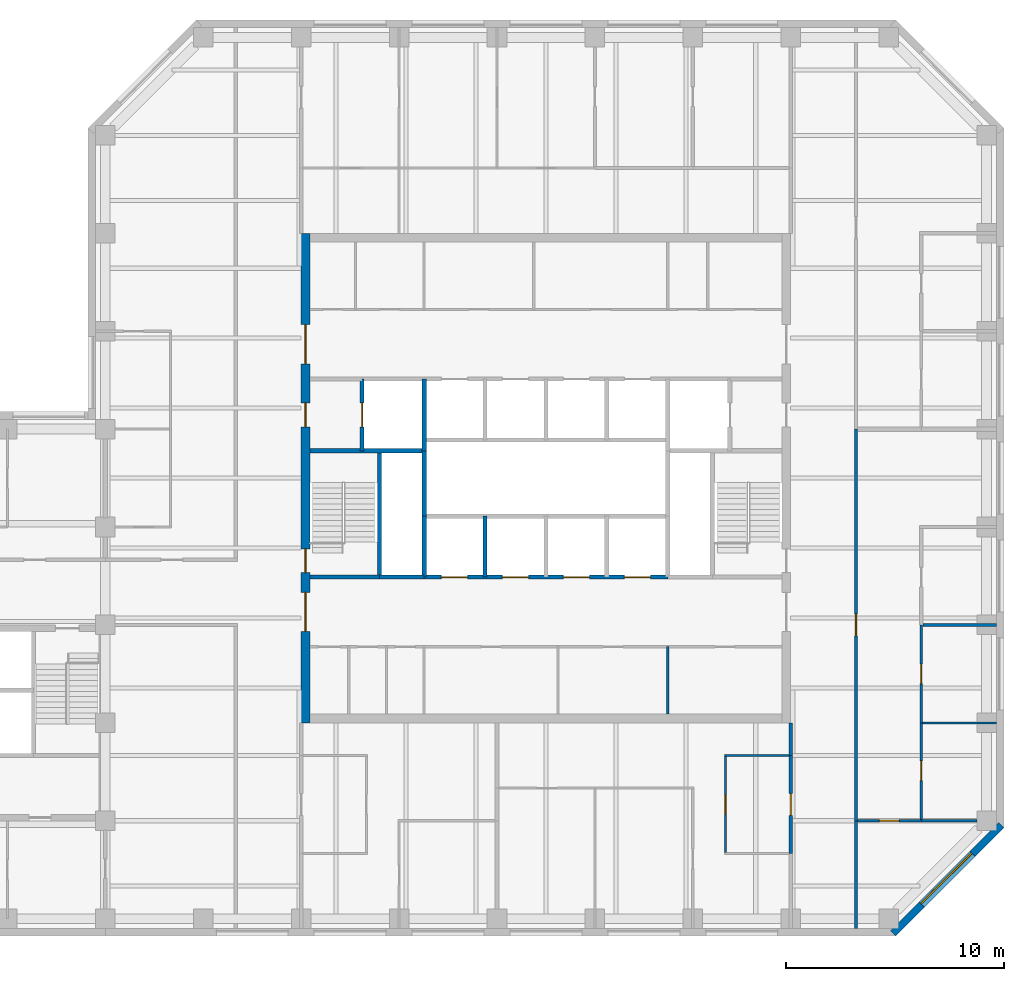
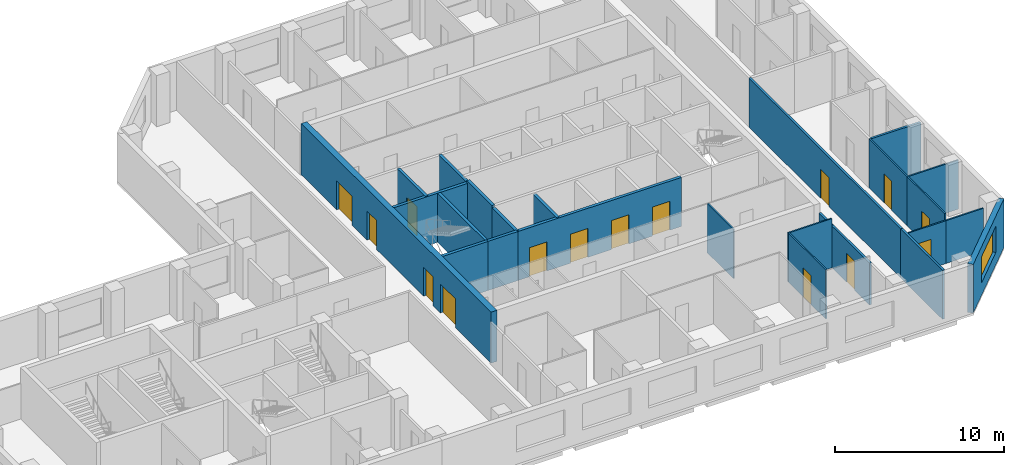
# One storey, part 5 of 9: 25 walls, 15 doors, 1 window, 16 openings.
"""IFC4 building model written with IfcOpenShell, lengths in metres."""

from ifc_helpers import new_model, si_unit, direction, frame, frame_2d, origin, place, context, subcontext, project, spatial, rectangle, extrude, material, layer, layer_set, constituent, constituent_set, type_object, element, fill, save


model = new_model("IFC4")

# Units and contexts
model_context = context("Model", 3, precision=1e-05, world=origin(), true_north=direction((0.0, 1.0)))
body_context = subcontext(model_context, "Body", "Model", "MODEL_VIEW")
ifc_project = project(units=[si_unit("LENGTHUNIT", "METRE"), si_unit("AREAUNIT", "SQUARE_METRE"), si_unit("VOLUMEUNIT", "CUBIC_METRE"), si_unit("PLANEANGLEUNIT", "RADIAN"), si_unit("MASSUNIT", "GRAM", prefix="KILO")], contexts=[model_context])

# Site, building, storey
site_placement = place(None, origin())
site = spatial("IfcSite", under=ifc_project, at=site_placement, CompositionType="ELEMENT")
building_placement = place(site_placement, origin())
building = spatial("IfcBuilding", under=site, at=building_placement, Name="Quoin Convention Tower", CompositionType="ELEMENT")
storey_placement = place(building_placement, frame((0.0, 0.0, 241.5)))
storey = spatial("IfcBuildingStorey", under=building, at=storey_placement, Name="L63", CompositionType="ELEMENT", Elevation=241.5)

# Wall
ifc_material_1 = material(Name="Plasterboard")
ifc_layer_1 = layer(ifc_material_1, 0.012451171875, Name="Finish")
ifc_material_2 = material(Name="Steel stud framing", Category="steel")
ifc_layer_2 = layer(ifc_material_2, 0.125, Name="Structure")
ifc_layer_3 = layer(ifc_material_1, 0.012451171875, Name="Finish")
ifc_layer_set_1 = layer_set([ifc_layer_1, ifc_layer_2, ifc_layer_3], Name="Steel stud framing")
wall_type_1 = type_object("IfcWallType", Name="Acoustic partition 150", PredefinedType="PARTITIONING", material=ifc_layer_set_1)
wall_1_placement = place(storey_placement, frame((73.574951171875, 54.0, 0.0), z_axis=(0.0, 0.0, 1.0), x_axis=(1.0, 0.0, 0.0)))
element("IfcWall", 1, at=wall_1_placement, inside=storey, type_object=wall_type_1, Name="pw-L63-017", PredefinedType="PARTITIONING", context=body_context, shape_type="SweptSolid", body=[
    extrude(rectangle(XDim=3.375, YDim=0.14990234375, at=frame_2d((1.6875, 0.0))), origin(), (0.0, 0.0, 1.0), 3.550048828125),
])

# Wall, opening, window
ifc_material_3 = material(Name="Brick masonry", Category="masonry")
ifc_layer_4 = layer(ifc_material_3, 0.35009765625)
ifc_layer_set_2 = layer_set([ifc_layer_4], Name="Brick masonry")
wall_type_2 = type_object("IfcWallType", Name="Brick facade wall", PredefinedType="STANDARD", material=ifc_layer_set_2)
wall_2_placement = place(storey_placement, frame((72.20751953125, 39.82373046875, 0.0), z_axis=(0.0, 0.0, 1.0), x_axis=(0.707106781187, 0.707106781187, 0.0)))
wall_2 = element("IfcWall", 2, at=wall_2_placement, inside=storey, type_object=wall_type_2, Name="fw-L63-72000_40500", PredefinedType="STANDARD", context=body_context, shape_type="SweptSolid", body=[
    extrude(rectangle(XDim=7.02685546875, YDim=0.35009765625, at=frame_2d((3.513427734375, 0.0))), origin(), (0.0, 0.0, 1.0), 3.52490234375),
])
opening_1_placement = place(wall_2_placement, frame((1.86328125, 0.0, 0.89990234375)))
opening_1 = element("IfcOpeningElement", 3, at=opening_1_placement, cuts=wall_2, Name="Opening W-02", PredefinedType="OPENING", context=body_context, shape_type="SweptSolid", body=[
    extrude(rectangle(XDim=3.300048828125, YDim=1.89990234375, at=frame_2d((1.64990234375, 0.949951171875))), frame((0.0, 0.18505859375, 0.0), z_axis=(0.0, -1.0, 0.0), x_axis=(1.0, 0.0, 0.0)), (0.0, 0.0, 1.0), 0.3701171875),
])
ifc_material_4 = material(Name="Aluminium", Category="aluminium")
ifc_constituent_1 = constituent(ifc_material_4, Name="Frame")
ifc_material_5 = material(Name="Insulated glass", Category="glass")
ifc_constituent_2 = constituent(ifc_material_5, Name="Glazing")
ifc_constituent_set = constituent_set(constituents=[ifc_constituent_1, ifc_constituent_2], Name="Aluminium")
window_type = type_object("IfcWindowType", Name="Office window", PartitioningType="DOUBLE_PANEL_VERTICAL", PredefinedType="WINDOW", material=ifc_constituent_set)
window_placement = place(opening_1_placement, origin())
window = element("IfcWindow", 4, at=window_placement, inside=storey, type_object=window_type, Name="win-L63-74692_42308", OverallHeight=1.89990234375, OverallWidth=3.300048828125, PartitioningType="SINGLE_PANEL", PredefinedType="WINDOW", context=body_context, shape_type="SweptSolid", body=[
    extrude(rectangle(XDim=3.300048828125, YDim=1.89990234375, at=frame_2d((1.64990234375, 0.949951171875))), frame((0.0, 0.0849609375, 0.0), z_axis=(0.0, -1.0, 0.0), x_axis=(1.0, 0.0, 0.0)), (0.0, 0.0, 1.0), 0.06005859375),
])
fill(opening_1, window)

# Walls
ifc_layer_5 = layer(ifc_material_1, 0.012451171875, Name="Finish")
ifc_layer_6 = layer(ifc_material_2, 0.074951171875, Name="Structure")
ifc_layer_7 = layer(ifc_material_1, 0.012451171875, Name="Finish")
ifc_layer_set_3 = layer_set([ifc_layer_5, ifc_layer_6, ifc_layer_7], Name="Steel stud framing")
wall_type_3 = type_object("IfcWallType", Name="Core partition wall", PredefinedType="PARTITIONING", material=ifc_layer_set_3)
wall_3_placement = place(storey_placement, frame((61.85009765625, 49.89990234375, 0.0), z_axis=(0.0, 0.0, 1.0), x_axis=(0.0, 1.0, 0.0)))
element("IfcWall", 5, at=wall_3_placement, inside=storey, type_object=wall_type_3, Name="cr-C1-L63-v16850_400", PredefinedType="PARTITIONING", context=body_context, shape_type="SweptSolid", body=[
    extrude(rectangle(XDim=3.10009765625, YDim=0.10009765625, at=frame_2d((1.550048828125, 0.0))), origin(), (0.0, 0.0, 1.0), 3.550048828125),
])
ifc_material_6 = material(Name="Concrete C50", Category="concrete")
ifc_layer_8 = layer(ifc_material_6, 0.199951171875)
ifc_layer_set_4 = layer_set([ifc_layer_8], Name="Concrete C50")
wall_type_4 = type_object("IfcWallType", Name="Core shaft wall", PredefinedType="SOLIDWALL", material=ifc_layer_set_4)
wall_4_placement = place(storey_placement, frame((48.60009765625, 56.199951171875, 0.0), z_axis=(0.0, 0.0, 1.0), x_axis=(1.0, 0.0, 0.0)))
element("IfcWall", 6, at=wall_4_placement, inside=storey, type_object=wall_type_4, Name="cr-C1-L63-h6700_3600", PredefinedType="SOLIDWALL", context=body_context, shape_type="SweptSolid", body=[
    extrude(rectangle(XDim=2.0498046875, YDim=0.199951171875, at=frame_2d((1.02490234375, 0.0))), origin(), (0.0, 0.0, 1.0), 3.550048828125),
])
wall_5_placement = place(storey_placement, frame((45.39990234375, 56.199951171875, 0.0), z_axis=(0.0, 0.0, 1.0), x_axis=(1.0, 0.0, 0.0)))
element("IfcWall", 7, at=wall_5_placement, inside=storey, type_object=wall_type_4, Name="cr-C1-L63-h6700_400", PredefinedType="SOLIDWALL", context=body_context, shape_type="SweptSolid", body=[
    extrude(rectangle(XDim=3.2001953125, YDim=0.199951171875, at=frame_2d((1.60009765625, 0.0))), origin(), (0.0, 0.0, 1.0), 3.550048828125),
])

# Wall, openings, doors
wall_6_placement = place(storey_placement, frame((50.64990234375, 56.199951171875, 0.0), z_axis=(0.0, 0.0, 1.0), x_axis=(1.0, 0.0, 0.0)))
wall_6 = element("IfcWall", 8, at=wall_6_placement, inside=storey, type_object=wall_type_4, Name="cr-C1-L63-h6700_5650", PredefinedType="SOLIDWALL", context=body_context, shape_type="SweptSolid", body=[
    extrude(rectangle(XDim=11.2001953125, YDim=0.199951171875, at=frame_2d((5.60009765625, 0.0))), origin(), (0.0, 0.0, 1.0), 3.550048828125),
])
opening_2_placement = place(wall_6_placement, frame((0.800048828125, 0.0, 0.0)))
opening_2 = element("IfcOpeningElement", 9, at=opening_2_placement, cuts=wall_6, Name="Opening LDH1", PredefinedType="OPENING", context=body_context, shape_type="SweptSolid", body=[
    extrude(rectangle(XDim=1.199951171875, YDim=2.10009765625, at=frame_2d((0.60009765625, 1.050048828125))), frame((0.0, 0.10986328125, 0.0), z_axis=(0.0, -1.0, 0.0), x_axis=(1.0, 0.0, 0.0)), (0.0, 0.0, 1.0), 0.219970703125),
])
opening_3_placement = place(wall_6_placement, frame((3.60009765625, 0.0, 0.0)))
opening_3 = element("IfcOpeningElement", 10, at=opening_3_placement, cuts=wall_6, Name="Opening LDH2", PredefinedType="OPENING", context=body_context, shape_type="SweptSolid", body=[
    extrude(rectangle(XDim=1.199951171875, YDim=2.10009765625, at=frame_2d((0.60009765625, 1.050048828125))), frame((0.0, 0.10986328125, 0.0), z_axis=(0.0, -1.0, 0.0), x_axis=(1.0, 0.0, 0.0)), (0.0, 0.0, 1.0), 0.219970703125),
])
opening_4_placement = place(wall_6_placement, frame((6.39990234375, 0.0, 0.0)))
opening_4 = element("IfcOpeningElement", 11, at=opening_4_placement, cuts=wall_6, Name="Opening LDH3", PredefinedType="OPENING", context=body_context, shape_type="SweptSolid", body=[
    extrude(rectangle(XDim=1.199951171875, YDim=2.10009765625, at=frame_2d((0.60009765625, 1.050048828125))), frame((0.0, 0.10986328125, 0.0), z_axis=(0.0, -1.0, 0.0), x_axis=(1.0, 0.0, 0.0)), (0.0, 0.0, 1.0), 0.219970703125),
])
opening_5_placement = place(wall_6_placement, frame((9.199951171875, 0.0, 0.0)))
opening_5 = element("IfcOpeningElement", 12, at=opening_5_placement, cuts=wall_6, Name="Opening LDH4", PredefinedType="OPENING", context=body_context, shape_type="SweptSolid", body=[
    extrude(rectangle(XDim=1.199951171875, YDim=2.10009765625, at=frame_2d((0.60009765625, 1.050048828125))), frame((0.0, 0.10986328125, 0.0), z_axis=(0.0, -1.0, 0.0), x_axis=(1.0, 0.0, 0.0)), (0.0, 0.0, 1.0), 0.219970703125),
])
ifc_material_7 = material(Name="Steel door leaf", Category="steel")
door_type_1 = type_object("IfcDoorType", Name="Lift landing door 1200 x 2100", OperationType="DOUBLE_DOOR_SLIDING", PredefinedType="DOOR", material=ifc_material_7)
door_1_placement = place(opening_2_placement, origin())
door_1 = element("IfcDoor", 13, at=door_1_placement, inside=storey, type_object=door_type_1, Name="cd-C1-L63-R20-lobA-LDH1", OperationType="DOUBLE_DOOR_SLIDING", OverallHeight=2.10009765625, OverallWidth=1.199951171875, PredefinedType="DOOR", context=body_context, shape_type="SweptSolid", body=[
    extrude(rectangle(XDim=1.199951171875, YDim=2.10009765625, at=frame_2d((0.60009765625, 1.050048828125))), frame((0.0, 0.02490234375, 0.0), z_axis=(0.0, -1.0, 0.0), x_axis=(1.0, 0.0, 0.0)), (0.0, 0.0, 1.0), 0.050048828125),
])
fill(opening_2, door_1)
door_2_placement = place(opening_3_placement, origin())
door_2 = element("IfcDoor", 14, at=door_2_placement, inside=storey, type_object=door_type_1, Name="cd-C1-L63-R21-lobA-LDH2", OperationType="DOUBLE_DOOR_SLIDING", OverallHeight=2.10009765625, OverallWidth=1.199951171875, PredefinedType="DOOR", context=body_context, shape_type="SweptSolid", body=[
    extrude(rectangle(XDim=1.199951171875, YDim=2.10009765625, at=frame_2d((0.60009765625, 1.050048828125))), frame((0.0, 0.02490234375, 0.0), z_axis=(0.0, -1.0, 0.0), x_axis=(1.0, 0.0, 0.0)), (0.0, 0.0, 1.0), 0.050048828125),
])
fill(opening_3, door_2)
door_3_placement = place(opening_4_placement, origin())
door_3 = element("IfcDoor", 15, at=door_3_placement, inside=storey, type_object=door_type_1, Name="cd-C1-L63-R22-lobA-LDH3", OperationType="DOUBLE_DOOR_SLIDING", OverallHeight=2.10009765625, OverallWidth=1.199951171875, PredefinedType="DOOR", context=body_context, shape_type="SweptSolid", body=[
    extrude(rectangle(XDim=1.199951171875, YDim=2.10009765625, at=frame_2d((0.60009765625, 1.050048828125))), frame((0.0, 0.02490234375, 0.0), z_axis=(0.0, -1.0, 0.0), x_axis=(1.0, 0.0, 0.0)), (0.0, 0.0, 1.0), 0.050048828125),
])
fill(opening_4, door_3)
door_4_placement = place(opening_5_placement, origin())
door_4 = element("IfcDoor", 16, at=door_4_placement, inside=storey, type_object=door_type_1, Name="cd-C1-L63-R23-lobA-LDH4", OperationType="DOUBLE_DOOR_SLIDING", OverallHeight=2.10009765625, OverallWidth=1.199951171875, PredefinedType="DOOR", context=body_context, shape_type="SweptSolid", body=[
    extrude(rectangle(XDim=1.199951171875, YDim=2.10009765625, at=frame_2d((0.60009765625, 1.050048828125))), frame((0.0, 0.02490234375, 0.0), z_axis=(0.0, -1.0, 0.0), x_axis=(1.0, 0.0, 0.0)), (0.0, 0.0, 1.0), 0.050048828125),
])
fill(opening_5, door_4)

# Wall
wall_7_placement = place(storey_placement, frame((45.39990234375, 62.0, 0.0), z_axis=(0.0, 0.0, 1.0), x_axis=(1.0, 0.0, 0.0)))
element("IfcWall", 17, at=wall_7_placement, inside=storey, type_object=wall_type_4, Name="cr-C1-L63-h12500_400", PredefinedType="SOLIDWALL", context=body_context, shape_type="SweptSolid", body=[
    extrude(rectangle(XDim=5.25, YDim=0.199951171875, at=frame_2d((2.625, 0.0))), origin(), (0.0, 0.0, 1.0), 3.550048828125),
])

# Wall, opening, door
wall_8_placement = place(storey_placement, frame((47.800048828125, 62.0, 0.0), z_axis=(0.0, 0.0, 1.0), x_axis=(0.0, 1.0, 0.0)))
wall_8 = element("IfcWall", 18, at=wall_8_placement, inside=storey, type_object=wall_type_4, Name="cr-C1-L63-v2800_12500", PredefinedType="SOLIDWALL", context=body_context, shape_type="SweptSolid", body=[
    extrude(rectangle(XDim=3.300048828125, YDim=0.199951171875, at=frame_2d((1.64990234375, 0.0))), origin(), (0.0, 0.0, 1.0), 3.550048828125),
])
opening_6_placement = place(wall_8_placement, frame((1.10009765625, 0.0, 0.0)))
opening_6 = element("IfcOpeningElement", 19, at=opening_6_placement, cuts=wall_8, Name="Opening LDFL1", PredefinedType="OPENING", context=body_context, shape_type="SweptSolid", body=[
    extrude(rectangle(XDim=1.10009765625, YDim=2.10009765625, at=frame_2d((0.550048828125, 1.050048828125))), frame((0.0, 0.10986328125, 0.0), z_axis=(0.0, -1.0, 0.0), x_axis=(1.0, 0.0, 0.0)), (0.0, 0.0, 1.0), 0.219970703125),
])
door_type_2 = type_object("IfcDoorType", Name="Lift landing door 1100 x 2100", OperationType="DOUBLE_DOOR_SLIDING", PredefinedType="DOOR", material=ifc_material_7)
door_5_placement = place(opening_6_placement, origin())
door_5 = element("IfcDoor", 20, at=door_5_placement, inside=storey, type_object=door_type_2, Name="cd-C1-L63-FLW-FFW-LDFL1", OperationType="DOUBLE_DOOR_SLIDING", OverallHeight=2.10009765625, OverallWidth=1.10009765625, PredefinedType="DOOR", context=body_context, shape_type="SweptSolid", body=[
    extrude(rectangle(XDim=1.10009765625, YDim=2.10009765625, at=frame_2d((0.550048828125, 1.050048828125))), frame((0.0, 0.02490234375, 0.0), z_axis=(0.0, -1.0, 0.0), x_axis=(1.0, 0.0, 0.0)), (0.0, 0.0, 1.0), 0.050048828125),
])
fill(opening_6, door_5)

# Walls
wall_9_placement = place(storey_placement, frame((48.60009765625, 56.199951171875, 0.0), z_axis=(0.0, 0.0, 1.0), x_axis=(0.0, 1.0, 0.0)))
element("IfcWall", 21, at=wall_9_placement, inside=storey, type_object=wall_type_4, Name="cr-C1-L63-v3600_6700", PredefinedType="SOLIDWALL", context=body_context, shape_type="SweptSolid", body=[
    extrude(rectangle(XDim=5.800048828125, YDim=0.199951171875, at=frame_2d((2.89990234375, 0.0))), origin(), (0.0, 0.0, 1.0), 3.550048828125),
])
wall_10_placement = place(storey_placement, frame((50.64990234375, 56.199951171875, 0.0), z_axis=(0.0, 0.0, 1.0), x_axis=(0.0, 1.0, 0.0)))
element("IfcWall", 22, at=wall_10_placement, inside=storey, type_object=wall_type_4, Name="cr-C1-L63-v5650_6700", PredefinedType="SOLIDWALL", context=body_context, shape_type="SweptSolid", body=[
    extrude(rectangle(XDim=2.800048828125, YDim=0.199951171875, at=frame_2d((1.39990234375, 0.0))), origin(), (0.0, 0.0, 1.0), 3.550048828125),
])
wall_11_placement = place(storey_placement, frame((50.64990234375, 62.0, 0.0), z_axis=(0.0, 0.0, 1.0), x_axis=(0.0, 1.0, 0.0)))
element("IfcWall", 23, at=wall_11_placement, inside=storey, type_object=wall_type_4, Name="cr-C1-L63-v5650_12500", PredefinedType="SOLIDWALL", context=body_context, shape_type="SweptSolid", body=[
    extrude(rectangle(XDim=3.300048828125, YDim=0.199951171875, at=frame_2d((1.64990234375, 0.0))), origin(), (0.0, 0.0, 1.0), 3.550048828125),
])
wall_12_placement = place(storey_placement, frame((53.449951171875, 56.199951171875, 0.0), z_axis=(0.0, 0.0, 1.0), x_axis=(0.0, 1.0, 0.0)))
element("IfcWall", 24, at=wall_12_placement, inside=storey, type_object=wall_type_4, Name="cr-C1-L63-v8450_6700", PredefinedType="SOLIDWALL", context=body_context, shape_type="SweptSolid", body=[
    extrude(rectangle(XDim=2.800048828125, YDim=0.199951171875, at=frame_2d((1.39990234375, 0.0))), origin(), (0.0, 0.0, 1.0), 3.550048828125),
])
ifc_layer_9 = layer(ifc_material_6, 0.199951171875)
ifc_layer_set_5 = layer_set([ifc_layer_9], Name="Concrete C50")
wall_type_5 = type_object("IfcWallType", Name="Core shaft wall to the floor level over", PredefinedType="SOLIDWALL", material=ifc_layer_set_5)
wall_13_placement = place(storey_placement, frame((50.64990234375, 59.0, 0.0), z_axis=(0.0, 0.0, 1.0), x_axis=(0.0, 1.0, 0.0)))
element("IfcWall", 25, at=wall_13_placement, inside=storey, type_object=wall_type_5, Name="cr-C1-L63-v5650_9500", PredefinedType="SOLIDWALL", context=body_context, shape_type="SweptSolid", body=[
    extrude(rectangle(XDim=3.0, YDim=0.199951171875, at=frame_2d((1.5, 0.0))), origin(), (0.0, 0.0, 1.0), 3.699951171875),
])
ifc_layer_10 = layer(ifc_material_1, 0.012451171875, Name="Finish")
ifc_layer_11 = layer(ifc_material_2, 0.125, Name="Structure")
ifc_layer_12 = layer(ifc_material_1, 0.012451171875, Name="Finish")
ifc_layer_set_6 = layer_set([ifc_layer_10, ifc_layer_11, ifc_layer_12], Name="Steel stud framing")
wall_type_6 = type_object("IfcWallType", Name="Corridor wall 150", PredefinedType="PARTITIONING", material=ifc_layer_set_6)
wall_14_placement = place(storey_placement, frame((70.5, 40.050048828125, 0.0), z_axis=(0.0, 0.0, 1.0), x_axis=(0.0, 1.0, 0.0)))
element("IfcWall", 26, at=wall_14_placement, inside=storey, type_object=wall_type_6, Name="pw-L63-042", PredefinedType="PARTITIONING", context=body_context, shape_type="SweptSolid", body=[
    extrude(rectangle(XDim=4.949951171875, YDim=0.14990234375, at=frame_2d((2.47509765625, 0.0))), origin(), (0.0, 0.0, 1.0), 3.550048828125),
])

# Wall, opening, door
wall_15_placement = place(storey_placement, frame((70.5, 45.0, 0.0), z_axis=(0.0, 0.0, 1.0), x_axis=(0.0, 1.0, 0.0)))
wall_15 = element("IfcWall", 27, at=wall_15_placement, inside=storey, type_object=wall_type_6, Name="pw-L63-050", PredefinedType="PARTITIONING", context=body_context, shape_type="SweptSolid", body=[
    extrude(rectangle(XDim=18.0, YDim=0.14990234375, at=frame_2d((9.0, 0.0))), origin(), (0.0, 0.0, 1.0), 3.550048828125),
])
opening_7_placement = place(wall_15_placement, frame((8.5, 0.0, 0.0)))
opening_7 = element("IfcOpeningElement", 28, at=opening_7_placement, cuts=wall_15, Name="Opening DOH11-16", PredefinedType="OPENING", context=body_context, shape_type="SweptSolid", body=[
    extrude(rectangle(XDim=1.0, YDim=2.10009765625, at=frame_2d((0.5, 1.050048828125))), frame((0.0, 0.0849609375, 0.0), z_axis=(0.0, -1.0, 0.0), x_axis=(1.0, 0.0, 0.0)), (0.0, 0.0, 1.0), 0.169921875),
])
door_type_3 = type_object("IfcDoorType", Name="Tenancy entrance door 1000 x 2100", OperationType="DOUBLE_DOOR_SINGLE_SWING", PredefinedType="DOOR", material=ifc_material_7)
door_6_placement = place(opening_7_placement, frame((1.0, 0.0, 0.0), z_axis=(0.0, 0.0, 1.0), x_axis=(-1.0, 0.0, 0.0)))
door_6 = element("IfcDoor", 29, at=door_6_placement, inside=storey, type_object=door_type_3, Name="dr-L63-24", OperationType="DOUBLE_DOOR_SINGLE_SWING", OverallHeight=2.10009765625, OverallWidth=1.0, PredefinedType="DOOR", context=body_context, shape_type="SweptSolid", body=[
    extrude(rectangle(XDim=1.0, YDim=2.10009765625, at=frame_2d((0.5, 1.050048828125))), frame((0.0, 0.02490234375, 0.0), z_axis=(0.0, -1.0, 0.0), x_axis=(1.0, 0.0, 0.0)), (0.0, 0.0, 1.0), 0.050048828125),
])
fill(opening_7, door_6)

ifc_layer_13 = layer(ifc_material_1, 0.012451171875, Name="Finish")
ifc_layer_14 = layer(ifc_material_2, 0.125, Name="Structure")
ifc_layer_15 = layer(ifc_material_1, 0.012451171875, Name="Finish")
ifc_layer_set_7 = layer_set([ifc_layer_13, ifc_layer_14, ifc_layer_15], Name="Steel stud framing")
wall_type_7 = type_object("IfcWallType", Name="Corridor wall 150 under beam 528", PredefinedType="PARTITIONING", material=ifc_layer_set_7)
wall_16_placement = place(storey_placement, frame((67.5, 43.5, 0.0), z_axis=(0.0, 0.0, 1.0), x_axis=(0.0, 1.0, 0.0)))
wall_16 = element("IfcWall", 30, at=wall_16_placement, inside=storey, type_object=wall_type_7, Name="pw-L63-045", PredefinedType="PARTITIONING", context=body_context, shape_type="SweptSolid", body=[
    extrude(rectangle(XDim=4.5, YDim=0.14990234375, at=frame_2d((2.25, 0.0))), origin(), (0.0, 0.0, 1.0), 3.02197265625),
])
opening_8_placement = place(wall_16_placement, frame((1.75, 0.0, 0.0)))
opening_8 = element("IfcOpeningElement", 31, at=opening_8_placement, cuts=wall_16, Name="Opening DOH11-13", PredefinedType="OPENING", context=body_context, shape_type="SweptSolid", body=[
    extrude(rectangle(XDim=1.0, YDim=2.10009765625, at=frame_2d((0.5, 1.050048828125))), frame((0.0, 0.0849609375, 0.0), z_axis=(0.0, -1.0, 0.0), x_axis=(1.0, 0.0, 0.0)), (0.0, 0.0, 1.0), 0.169921875),
])
door_7_placement = place(opening_8_placement, origin())
door_7 = element("IfcDoor", 32, at=door_7_placement, inside=storey, type_object=door_type_3, Name="dr-L63-13", OperationType="DOUBLE_DOOR_SINGLE_SWING", OverallHeight=2.10009765625, OverallWidth=1.0, PredefinedType="DOOR", context=body_context, shape_type="SweptSolid", body=[
    extrude(rectangle(XDim=1.0, YDim=2.10009765625, at=frame_2d((0.5, 1.050048828125))), frame((0.0, 0.02490234375, 0.0), z_axis=(0.0, -1.0, 0.0), x_axis=(1.0, 0.0, 0.0)), (0.0, 0.0, 1.0), 0.050048828125),
])
fill(opening_8, door_7)

# Wall
wall_17_placement = place(storey_placement, frame((67.5, 48.0, 0.0), z_axis=(0.0, 0.0, 1.0), x_axis=(0.0, 1.0, 0.0)))
element("IfcWall", 33, at=wall_17_placement, inside=storey, type_object=wall_type_7, Name="pw-L63-057", PredefinedType="PARTITIONING", context=body_context, shape_type="SweptSolid", body=[
    extrude(rectangle(XDim=1.5, YDim=0.14990234375, at=frame_2d((0.75, 0.0))), origin(), (0.0, 0.0, 1.0), 3.02197265625),
])

# Wall, openings, doors
ifc_layer_16 = layer(ifc_material_6, 0.39990234375)
ifc_layer_set_8 = layer_set([ifc_layer_16], Name="Concrete C50")
wall_type_8 = type_object("IfcWallType", Name="RC CORE WALL 400 C50", PredefinedType="SHEAR", material=ifc_layer_set_8)
wall_18_placement = place(storey_placement, frame((45.199951171875, 49.5, 0.0), z_axis=(0.0, 0.0, 1.0), x_axis=(0.0, 1.0, 0.0)))
wall_18 = element("IfcWall", 34, at=wall_18_placement, inside=storey, type_object=wall_type_8, Name="cwl-C1-L63-W", PredefinedType="SHEAR", context=body_context, shape_type="SweptSolid", body=[
    extrude(rectangle(XDim=22.5, YDim=0.39990234375, at=frame_2d((11.25, 0.0))), origin(), (0.0, 0.0, 1.0), 3.699951171875),
])
opening_9_placement = place(wall_18_placement, frame((4.199951171875, 0.0, 0.0)))
opening_9 = element("IfcOpeningElement", 35, at=opening_9_placement, cuts=wall_18, Name="Opening DCV3-40", PredefinedType="OPENING", context=body_context, shape_type="SweptSolid", body=[
    extrude(rectangle(XDim=1.800048828125, YDim=2.10009765625, at=frame_2d((0.89990234375, 1.050048828125))), frame((0.0, 0.2099609375, 0.0), z_axis=(0.0, -1.0, 0.0), x_axis=(1.0, 0.0, 0.0)), (0.0, 0.0, 1.0), 0.419921875),
])
opening_10_placement = place(wall_18_placement, frame((6.89990234375, 0.0, 0.0)))
opening_10 = element("IfcOpeningElement", 36, at=opening_10_placement, cuts=wall_18, Name="Opening SD1", PredefinedType="OPENING", context=body_context, shape_type="SweptSolid", body=[
    extrude(rectangle(XDim=1.10009765625, YDim=2.10009765625, at=frame_2d((0.550048828125, 1.050048828125))), frame((0.0, 0.2099609375, 0.0), z_axis=(0.0, -1.0, 0.0), x_axis=(1.0, 0.0, 0.0)), (0.0, 0.0, 1.0), 0.419921875),
])
opening_11_placement = place(wall_18_placement, frame((13.60009765625, 0.0, 0.0)))
opening_11 = element("IfcOpeningElement", 37, at=opening_11_placement, cuts=wall_18, Name="Opening DCV3-39", PredefinedType="OPENING", context=body_context, shape_type="SweptSolid", body=[
    extrude(rectangle(XDim=1.10009765625, YDim=2.10009765625, at=frame_2d((0.550048828125, 1.050048828125))), frame((0.0, 0.2099609375, 0.0), z_axis=(0.0, -1.0, 0.0), x_axis=(1.0, 0.0, 0.0)), (0.0, 0.0, 1.0), 0.419921875),
])
opening_12_placement = place(wall_18_placement, frame((16.5, 0.0, 0.0)))
opening_12 = element("IfcOpeningElement", 38, at=opening_12_placement, cuts=wall_18, Name="Opening DCV3-40", PredefinedType="OPENING", context=body_context, shape_type="SweptSolid", body=[
    extrude(rectangle(XDim=1.800048828125, YDim=2.10009765625, at=frame_2d((0.89990234375, 1.050048828125))), frame((0.0, 0.2099609375, 0.0), z_axis=(0.0, -1.0, 0.0), x_axis=(1.0, 0.0, 0.0)), (0.0, 0.0, 1.0), 0.419921875),
])
door_type_4 = type_object("IfcDoorType", Name="Fire-fighting lobby door 1100 x 2100", OperationType="SINGLE_SWING_LEFT", PredefinedType="DOOR", material=ifc_material_7)
door_8_placement = place(opening_11_placement, frame((1.10009765625, 0.0, 0.0), z_axis=(0.0, 0.0, 1.0), x_axis=(-1.0, 0.0, 0.0)))
door_8 = element("IfcDoor", 39, at=door_8_placement, inside=storey, type_object=door_type_4, Name="cd-C1-L63-FFW-W", OperationType="SINGLE_SWING_LEFT", OverallHeight=2.10009765625, OverallWidth=1.10009765625, PredefinedType="DOOR", context=body_context, shape_type="SweptSolid", body=[
    extrude(rectangle(XDim=1.10009765625, YDim=2.10009765625, at=frame_2d((0.550048828125, 1.050048828125))), frame((0.0, 0.02490234375, 0.0), z_axis=(0.0, -1.0, 0.0), x_axis=(1.0, 0.0, 0.0)), (0.0, 0.0, 1.0), 0.050048828125),
])
fill(opening_11, door_8)
door_type_5 = type_object("IfcDoorType", Name="Lift lobby door 1800 x 2100", OperationType="SINGLE_SWING_LEFT", PredefinedType="DOOR", material=ifc_material_7)
door_9_placement = place(opening_9_placement, frame((1.800048828125, 0.0, 0.0), z_axis=(0.0, 0.0, 1.0), x_axis=(-1.0, 0.0, 0.0)))
door_9 = element("IfcDoor", 40, at=door_9_placement, inside=storey, type_object=door_type_5, Name="cd-C1-L63-lobA-W", OperationType="SINGLE_SWING_LEFT", OverallHeight=2.10009765625, OverallWidth=1.800048828125, PredefinedType="DOOR", context=body_context, shape_type="SweptSolid", body=[
    extrude(rectangle(XDim=1.800048828125, YDim=2.10009765625, at=frame_2d((0.89990234375, 1.050048828125))), frame((0.0, 0.02490234375, 0.0), z_axis=(0.0, -1.0, 0.0), x_axis=(1.0, 0.0, 0.0)), (0.0, 0.0, 1.0), 0.050048828125),
])
fill(opening_9, door_9)
door_10_placement = place(opening_12_placement, frame((1.800048828125, 0.0, 0.0), z_axis=(0.0, 0.0, 1.0), x_axis=(-1.0, 0.0, 0.0)))
door_10 = element("IfcDoor", 41, at=door_10_placement, inside=storey, type_object=door_type_5, Name="cd-C1-L63-lobB-W", OperationType="SINGLE_SWING_LEFT", OverallHeight=2.10009765625, OverallWidth=1.800048828125, PredefinedType="DOOR", context=body_context, shape_type="SweptSolid", body=[
    extrude(rectangle(XDim=1.800048828125, YDim=2.10009765625, at=frame_2d((0.89990234375, 1.050048828125))), frame((0.0, 0.02490234375, 0.0), z_axis=(0.0, -1.0, 0.0), x_axis=(1.0, 0.0, 0.0)), (0.0, 0.0, 1.0), 0.050048828125),
])
fill(opening_12, door_10)
door_type_6 = type_object("IfcDoorType", Name="Stair door 1100 x 2100", OperationType="SINGLE_SWING_RIGHT", PredefinedType="DOOR", material=ifc_material_7)
door_11_placement = place(opening_10_placement, frame((1.10009765625, 0.0, 0.0), z_axis=(0.0, 0.0, 1.0), x_axis=(-1.0, 0.0, 0.0)))
door_11 = element("IfcDoor", 42, at=door_11_placement, inside=storey, type_object=door_type_6, Name="cd-C1-L63-STW-W", OperationType="SINGLE_SWING_RIGHT", OverallHeight=2.10009765625, OverallWidth=1.10009765625, PredefinedType="DOOR", context=body_context, shape_type="SweptSolid", body=[
    extrude(rectangle(XDim=1.10009765625, YDim=2.10009765625, at=frame_2d((0.550048828125, 1.050048828125))), frame((0.0, 0.02490234375, 0.0), z_axis=(0.0, -1.0, 0.0), x_axis=(1.0, 0.0, 0.0)), (0.0, 0.0, 1.0), 0.050048828125),
])
fill(opening_10, door_11)

# Walls
ifc_layer_17 = layer(ifc_material_1, 0.012451171875, Name="Finish")
ifc_layer_18 = layer(ifc_material_2, 0.074951171875, Name="Structure")
ifc_layer_19 = layer(ifc_material_1, 0.012451171875, Name="Finish")
ifc_layer_set_9 = layer_set([ifc_layer_17, ifc_layer_18, ifc_layer_19], Name="Steel stud framing")
wall_type_9 = type_object("IfcWallType", Name="Stud partition 100", PredefinedType="PARTITIONING", material=ifc_layer_set_9)
wall_19_placement = place(storey_placement, frame((64.449951171875, 48.0, 0.0), z_axis=(0.0, 0.0, 1.0), x_axis=(1.0, 0.0, 0.0)))
element("IfcWall", 43, at=wall_19_placement, inside=storey, type_object=wall_type_9, Name="pw-L63-012", PredefinedType="PARTITIONING", context=body_context, shape_type="SweptSolid", body=[
    extrude(rectangle(XDim=2.97509765625, YDim=0.10009765625, at=frame_2d((1.487548828125, 0.0))), origin(), (0.0, 0.0, 1.0), 3.550048828125),
])
wall_20_placement = place(storey_placement, frame((73.550048828125, 49.5, 0.0), z_axis=(0.0, 0.0, 1.0), x_axis=(1.0, 0.0, 0.0)))
element("IfcWall", 44, at=wall_20_placement, inside=storey, type_object=wall_type_9, Name="pw-L63-014", PredefinedType="PARTITIONING", context=body_context, shape_type="SweptSolid", body=[
    extrude(rectangle(XDim=3.39990234375, YDim=0.10009765625, at=frame_2d((1.699951171875, 0.0))), origin(), (0.0, 0.0, 1.0), 3.550048828125),
])

# Wall, opening, door
wall_21_placement = place(storey_placement, frame((64.5, 43.550048828125, 0.0), z_axis=(0.0, 0.0, 1.0), x_axis=(0.0, 1.0, 0.0)))
wall_21 = element("IfcWall", 45, at=wall_21_placement, inside=storey, type_object=wall_type_9, Name="pw-L63-047", PredefinedType="PARTITIONING", context=body_context, shape_type="SweptSolid", body=[
    extrude(rectangle(XDim=4.39990234375, YDim=0.10009765625, at=frame_2d((2.199951171875, 0.0))), origin(), (0.0, 0.0, 1.0), 3.550048828125),
])
opening_13_placement = place(wall_21_placement, frame((1.75, 0.0, 0.0)))
opening_13 = element("IfcOpeningElement", 46, at=opening_13_placement, cuts=wall_21, Name="Opening DOH11-15", PredefinedType="OPENING", context=body_context, shape_type="SweptSolid", body=[
    extrude(rectangle(XDim=0.89990234375, YDim=2.10009765625, at=frame_2d((0.449951171875, 1.050048828125))), frame((0.0, 0.06005859375, 0.0), z_axis=(0.0, -1.0, 0.0), x_axis=(1.0, 0.0, 0.0)), (0.0, 0.0, 1.0), 0.1201171875),
])
door_type_7 = type_object("IfcDoorType", Name="Office door 900 x 2100", OperationType="SINGLE_SWING_RIGHT", PredefinedType="DOOR", material=ifc_material_7)
door_12_placement = place(opening_13_placement, origin())
door_12 = element("IfcDoor", 47, at=door_12_placement, inside=storey, type_object=door_type_7, Name="dr-L63-14", OperationType="SINGLE_SWING_RIGHT", OverallHeight=2.10009765625, OverallWidth=0.89990234375, PredefinedType="DOOR", context=body_context, shape_type="SweptSolid", body=[
    extrude(rectangle(XDim=0.89990234375, YDim=2.10009765625, at=frame_2d((0.449951171875, 1.050048828125))), frame((0.0, 0.02490234375, 0.0), z_axis=(0.0, -1.0, 0.0), x_axis=(1.0, 0.0, 0.0)), (0.0, 0.0, 1.0), 0.050048828125),
])
fill(opening_13, door_12)

wall_22_placement = place(storey_placement, frame((73.5, 45.050048828125, 0.0), z_axis=(0.0, 0.0, 1.0), x_axis=(0.0, 1.0, 0.0)))
wall_22 = element("IfcWall", 48, at=wall_22_placement, inside=storey, type_object=wall_type_9, Name="pw-L63-051", PredefinedType="PARTITIONING", context=body_context, shape_type="SweptSolid", body=[
    extrude(rectangle(XDim=4.449951171875, YDim=0.10009765625, at=frame_2d((2.22509765625, 0.0))), origin(), (0.0, 0.0, 1.0), 3.550048828125),
])
opening_14_placement = place(wall_22_placement, frame((1.800048828125, 0.0, 0.0)))
opening_14 = element("IfcOpeningElement", 49, at=opening_14_placement, cuts=wall_22, Name="Opening DOH11-17", PredefinedType="OPENING", context=body_context, shape_type="SweptSolid", body=[
    extrude(rectangle(XDim=0.89990234375, YDim=2.10009765625, at=frame_2d((0.449951171875, 1.050048828125))), frame((0.0, 0.06005859375, 0.0), z_axis=(0.0, -1.0, 0.0), x_axis=(1.0, 0.0, 0.0)), (0.0, 0.0, 1.0), 0.1201171875),
])
door_13_placement = place(opening_14_placement, origin())
door_13 = element("IfcDoor", 50, at=door_13_placement, inside=storey, type_object=door_type_7, Name="dr-L63-26", OperationType="SINGLE_SWING_RIGHT", OverallHeight=2.10009765625, OverallWidth=0.89990234375, PredefinedType="DOOR", context=body_context, shape_type="SweptSolid", body=[
    extrude(rectangle(XDim=0.89990234375, YDim=2.10009765625, at=frame_2d((0.449951171875, 1.050048828125))), frame((0.0, 0.02490234375, 0.0), z_axis=(0.0, -1.0, 0.0), x_axis=(1.0, 0.0, 0.0)), (0.0, 0.0, 1.0), 0.050048828125),
])
fill(opening_14, door_13)

wall_23_placement = place(storey_placement, frame((73.5, 49.5, 0.0), z_axis=(0.0, 0.0, 1.0), x_axis=(0.0, 1.0, 0.0)))
wall_23 = element("IfcWall", 51, at=wall_23_placement, inside=storey, type_object=wall_type_9, Name="pw-L63-058", PredefinedType="PARTITIONING", context=body_context, shape_type="SweptSolid", body=[
    extrude(rectangle(XDim=4.5, YDim=0.10009765625, at=frame_2d((2.25, 0.0))), origin(), (0.0, 0.0, 1.0), 3.550048828125),
])
opening_15_placement = place(wall_23_placement, frame((1.800048828125, 0.0, 0.0)))
opening_15 = element("IfcOpeningElement", 52, at=opening_15_placement, cuts=wall_23, Name="Opening DOH11-18", PredefinedType="OPENING", context=body_context, shape_type="SweptSolid", body=[
    extrude(rectangle(XDim=0.89990234375, YDim=2.10009765625, at=frame_2d((0.449951171875, 1.050048828125))), frame((0.0, 0.06005859375, 0.0), z_axis=(0.0, -1.0, 0.0), x_axis=(1.0, 0.0, 0.0)), (0.0, 0.0, 1.0), 0.1201171875),
])
door_14_placement = place(opening_15_placement, origin())
door_14 = element("IfcDoor", 53, at=door_14_placement, inside=storey, type_object=door_type_7, Name="dr-L63-27", OperationType="SINGLE_SWING_RIGHT", OverallHeight=2.10009765625, OverallWidth=0.89990234375, PredefinedType="DOOR", context=body_context, shape_type="SweptSolid", body=[
    extrude(rectangle(XDim=0.89990234375, YDim=2.10009765625, at=frame_2d((0.449951171875, 1.050048828125))), frame((0.0, 0.02490234375, 0.0), z_axis=(0.0, -1.0, 0.0), x_axis=(1.0, 0.0, 0.0)), (0.0, 0.0, 1.0), 0.050048828125),
])
fill(opening_15, door_14)

ifc_layer_20 = layer(ifc_material_1, 0.012451171875, Name="Finish")
ifc_layer_21 = layer(ifc_material_2, 0.074951171875, Name="Structure")
ifc_layer_22 = layer(ifc_material_1, 0.012451171875, Name="Finish")
ifc_layer_set_10 = layer_set([ifc_layer_20, ifc_layer_21, ifc_layer_22], Name="Steel stud framing")
wall_type_10 = type_object("IfcWallType", Name="Stud partition 100 under beam 454", PredefinedType="PARTITIONING", material=ifc_layer_set_10)
wall_24_placement = place(storey_placement, frame((70.574951171875, 45.0, 0.0), z_axis=(0.0, 0.0, 1.0), x_axis=(1.0, 0.0, 0.0)))
wall_24 = element("IfcWall", 54, at=wall_24_placement, inside=storey, type_object=wall_type_10, Name="pw-L63-006", PredefinedType="PARTITIONING", context=body_context, shape_type="SweptSolid", body=[
    extrude(rectangle(XDim=2.925048828125, YDim=0.10009765625, at=frame_2d((1.46240234375, 0.0))), origin(), (0.0, 0.0, 1.0), 3.095947265625),
])
opening_16_placement = place(wall_24_placement, frame((1.0, 0.0, 0.0)))
opening_16 = element("IfcOpeningElement", 55, at=opening_16_placement, cuts=wall_24, Name="Opening DOH11-01", PredefinedType="OPENING", context=body_context, shape_type="SweptSolid", body=[
    extrude(rectangle(XDim=0.89990234375, YDim=2.10009765625, at=frame_2d((0.449951171875, 1.050048828125))), frame((0.0, 0.06005859375, 0.0), z_axis=(0.0, -1.0, 0.0), x_axis=(1.0, 0.0, 0.0)), (0.0, 0.0, 1.0), 0.1201171875),
])
door_15_placement = place(opening_16_placement, origin())
door_15 = element("IfcDoor", 56, at=door_15_placement, inside=storey, type_object=door_type_7, Name="dr-L63-25", OperationType="SINGLE_SWING_RIGHT", OverallHeight=2.10009765625, OverallWidth=0.89990234375, PredefinedType="DOOR", context=body_context, shape_type="SweptSolid", body=[
    extrude(rectangle(XDim=0.89990234375, YDim=2.10009765625, at=frame_2d((0.449951171875, 1.050048828125))), frame((0.0, 0.02490234375, 0.0), z_axis=(0.0, -1.0, 0.0), x_axis=(1.0, 0.0, 0.0)), (0.0, 0.0, 1.0), 0.050048828125),
])
fill(opening_16, door_15)

# Wall
wall_25_placement = place(storey_placement, frame((73.5, 45.0, 0.0), z_axis=(0.0, 0.0, 1.0), x_axis=(1.0, 0.0, 0.0)))
element("IfcWall", 57, at=wall_25_placement, inside=storey, type_object=wall_type_10, Name="pw-L63-007", PredefinedType="PARTITIONING", context=body_context, shape_type="SweptSolid", body=[
    extrude(rectangle(XDim=2.550048828125, YDim=0.10009765625, at=frame_2d((1.27490234375, 0.0))), origin(), (0.0, 0.0, 1.0), 3.095947265625),
])

save(model, "model.ifc")
